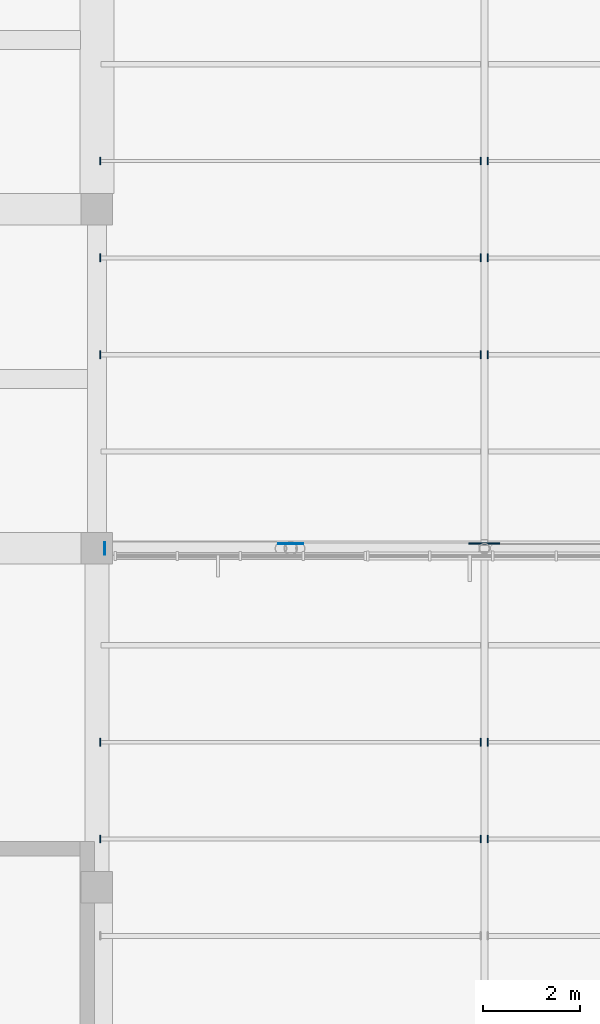
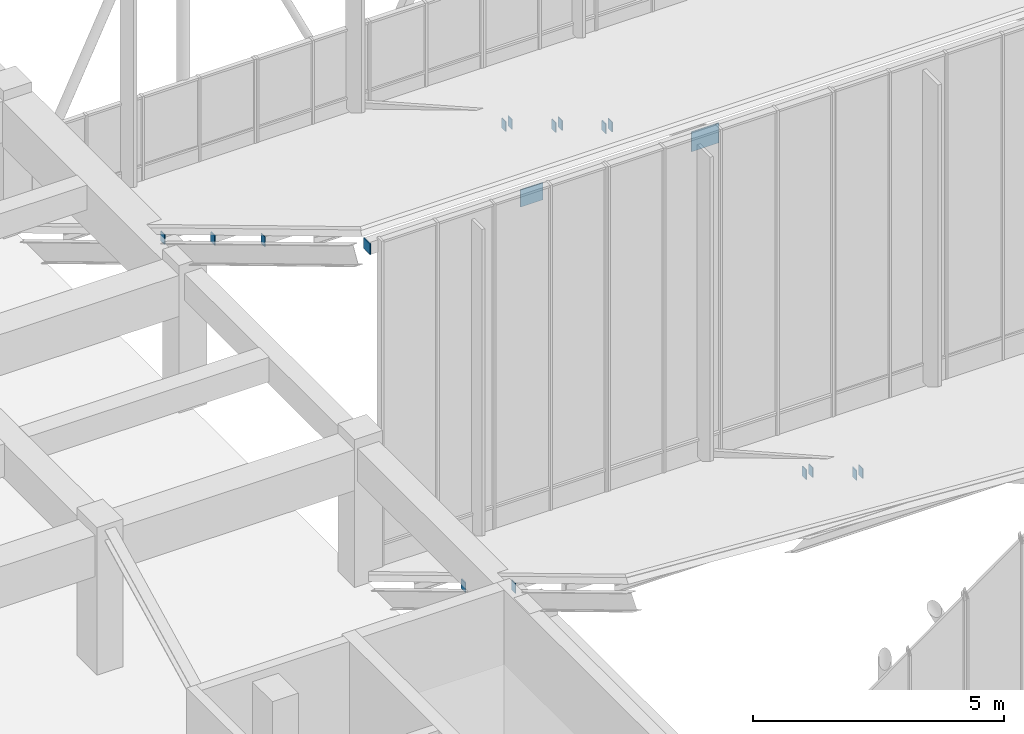
# One storey, part 92 of 155: 18 plates.
"""IFC4 building model written with IfcOpenShell, lengths in metres."""

from ifc_helpers import new_model, si_unit, direction, frame, origin, origin_2d, place, context, subcontext, project, spatial, rectangle, extrude, material, layer, layer_set, type_object, element, save


model = new_model("IFC4")

# Units and contexts
model_context = context("Model", 3, precision=1e-05, world=origin(), true_north=direction((0.0, 1.0)))
body_context = subcontext(model_context, "Body", "Model", "MODEL_VIEW")
ifc_project = project(units=[si_unit("LENGTHUNIT", "METRE"), si_unit("AREAUNIT", "SQUARE_METRE"), si_unit("VOLUMEUNIT", "CUBIC_METRE"), si_unit("PLANEANGLEUNIT", "RADIAN"), si_unit("MASSUNIT", "GRAM", prefix="KILO")], contexts=[model_context])

# Site, building, storey
site_placement = place(None, origin())
site = spatial("IfcSite", under=ifc_project, at=site_placement, CompositionType="ELEMENT")
building_placement = place(site_placement, origin())
building = spatial("IfcBuilding", under=site, at=building_placement, Name="Larkveld Mobility Hub", CompositionType="ELEMENT")
storey_placement = place(building_placement, frame((0.0, 0.0, 8.39990234375)))
storey = spatial("IfcBuildingStorey", under=building, at=storey_placement, Name="L02", CompositionType="ELEMENT", Elevation=8.39990234375)

# Plates
ifc_material = material(Name="Steel S355JR", Category="steel")
ifc_layer_1 = layer(ifc_material, 0.02001953125, Name="Steel S355JR", Category="steel")
ifc_layer_set_1 = layer_set([ifc_layer_1], Name="Steel S355JR")
plate_type_1 = type_object("IfcPlateType", Name="PT-EC02", PredefinedType="USERDEFINED", material=ifc_layer_set_1)
plate_1_placement = place(storey_placement, frame((152.159912109375, 70.0, 7.8203125), z_axis=(0.0, 0.0, 1.0), x_axis=(1.0, 0.0, 0.0)))
element("IfcPlate", 1, at=plate_1_placement, inside=storey, type_object=plate_type_1, Name="Hollow Chord End Cap Plate EC-035", ObjectType="GUSSET PLATE", PredefinedType="USERDEFINED", context=body_context, shape_type="SweptSolid", body=[
    extrude(rectangle(XDim=0.02001953125, YDim=0.260009765625, at=origin_2d()), origin(), (0.0, 0.0, 1.0), 0.260009765625),
])
for number, where, z_axis, x_axis, name in (
    (2, (152.072021484375, 64.0, 3.20703125), (0.0, 0.0, 1.0), (1.0, 0.0, 0.0), "Hollow Purlin End Cap Plate PEC-136"),
    (3, (159.927978515625, 64.0, 3.20703125), (0.0, 0.0, 1.0), (1.0, 0.0, 0.0), "Hollow Purlin End Cap Plate PEC-137"),
    (4, (160.072021484375, 64.0, 3.20703125), (0.0, 0.0, 1.0), (1.0, 0.0, 0.0), "Hollow Purlin End Cap Plate PEC-138"),
    (5, (152.072021484375, 66.0, 2.01708984375), (0.0, 0.0, 1.0), (1.0, 0.0, 0.0), "Hollow Purlin End Cap Plate PEC-144"),
    (6, (159.927978515625, 66.0, 2.01708984375), (0.0, 0.0, 1.0), (1.0, 0.0, 0.0), "Hollow Purlin End Cap Plate PEC-145"),
    (7, (160.072021484375, 66.0, 2.01708984375), (0.0, 0.0, 1.0), (1.0, 0.0, 0.0), "Hollow Purlin End Cap Plate PEC-146"),
    (8, (152.072021484375, 74.0, 5.5869140625), (0.0, 0.0, 1.0), (1.0, 0.0, 0.0), "Hollow Purlin End Cap Plate PEC-152"),
    (9, (159.927978515625, 74.0, 5.5869140625), (0.0, 0.0, 1.0), (1.0, 0.0, 0.0), "Hollow Purlin End Cap Plate PEC-153"),
    (10, (160.072021484375, 74.0, 5.5869140625), (0.0, 0.0, 1.0), (1.0, 0.0, 0.0), "Hollow Purlin End Cap Plate PEC-154"),
    (11, (152.072021484375, 76.0, 4.4072265625), (0.0, 0.0, 1.0), (1.0, 0.0, 0.0), "Hollow Purlin End Cap Plate PEC-160"),
    (12, (159.927978515625, 76.0, 4.4072265625), (0.0, 0.0, 1.0), (1.0, 0.0, 0.0), "Hollow Purlin End Cap Plate PEC-161"),
    (13, (160.072021484375, 76.0, 4.4072265625), (0.0, 0.0, 1.0), (1.0, 0.0, 0.0), "Hollow Purlin End Cap Plate PEC-162"),
    (14, (152.072021484375, 78.0, 3.21728515625), (0.0, 0.0, 1.0), (1.0, 0.0, 0.0), "Hollow Purlin End Cap Plate PEC-168"),
    (15, (159.927978515625, 78.0, 3.21728515625), (0.0, 0.0, 1.0), (1.0, 0.0, 0.0), "Hollow Purlin End Cap Plate PEC-169"),
    (16, (160.072021484375, 78.0, 3.21728515625), (0.0, 0.0, 1.0), (1.0, 0.0, 0.0), "Hollow Purlin End Cap Plate PEC-170"),
):
    element("IfcPlate", number, at=place(storey_placement, frame(where, z_axis=z_axis, x_axis=x_axis)), inside=storey, type_object=plate_type_1, Name=name, ObjectType="GUSSET PLATE", PredefinedType="USERDEFINED", context=body_context, shape_type="SweptSolid", body=[
        extrude(rectangle(XDim=0.02001953125, YDim=0.159912109375, at=origin_2d()), origin(), (0.0, 0.0, 1.0), 0.239990234375),
    ])
ifc_layer_2 = layer(ifc_material, 0.02001953125, Name="Steel S355JR", Category="steel")
ifc_layer_set_2 = layer_set([ifc_layer_2], Name="Steel S355JR")
plate_type_2 = type_object("IfcPlateType", Name="PT-GS01", PredefinedType="USERDEFINED", material=ifc_layer_set_2)
plate_2_placement = place(storey_placement, frame((156.0, 70.10009765625, 7.590087890625), z_axis=(0.0, 0.0, 1.0), x_axis=(1.0, 0.0, 0.0)))
element("IfcPlate", 17, at=plate_2_placement, inside=storey, type_object=plate_type_2, Name="Truss Node Gusset Plate TN-028", ObjectType="GUSSET PLATE", PredefinedType="USERDEFINED", context=body_context, shape_type="SweptSolid", body=[
    extrude(rectangle(XDim=0.52001953125, YDim=0.02001953125, at=origin_2d()), origin(), (0.0, 0.0, 1.0), 0.419921875),
])
ifc_layer_3 = layer(ifc_material, 0.02392578125, Name="Steel S355JR", Category="steel")
ifc_layer_set_3 = layer_set([ifc_layer_3], Name="Steel S355JR")
plate_type_3 = type_object("IfcPlateType", Name="PT-GS02", PredefinedType="USERDEFINED", material=ifc_layer_set_3)
plate_3_placement = place(storey_placement, frame((160.0, 70.10009765625, 7.56005859375), z_axis=(0.0, 0.0, 1.0), x_axis=(1.0, 0.0, 0.0)))
element("IfcPlate", 18, at=plate_3_placement, inside=storey, type_object=plate_type_3, Name="Truss Node Gusset Plate TN-029", ObjectType="GUSSET PLATE", PredefinedType="USERDEFINED", context=body_context, shape_type="SweptSolid", body=[
    extrude(rectangle(XDim=0.639892578125, YDim=0.02392578125, at=origin_2d()), origin(), (0.0, 0.0, 1.0), 0.47998046875),
])

save(model, "model.ifc")
